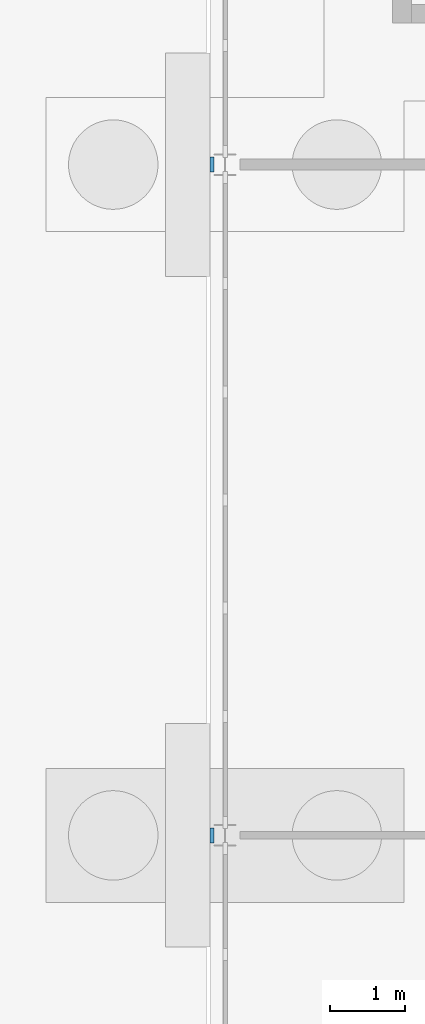
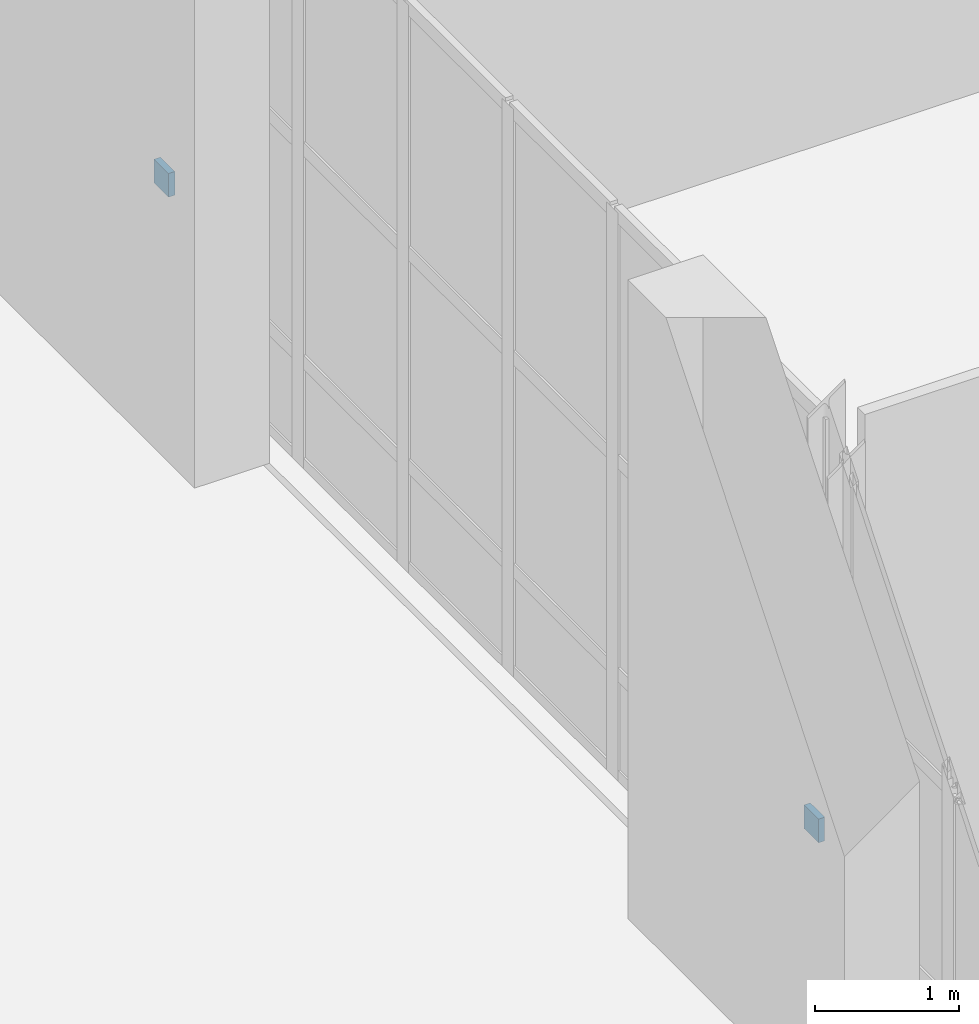
# One storey, part 119 of 168: 2 discrete accessories.
"""IFC4 building model written with IfcOpenShell, lengths in metres."""

from ifc_helpers import new_model, si_unit, direction, frame, origin, origin_2d, place, context, subcontext, project, spatial, rectangle, extrude, material, type_object, element, save


model = new_model("IFC4")

# Units and contexts
model_context = context("Model", 3, precision=1e-05, world=origin(), true_north=direction((0.0, 1.0)))
body_context = subcontext(model_context, "Body", "Model", "MODEL_VIEW")
ifc_project = project(units=[si_unit("LENGTHUNIT", "METRE"), si_unit("AREAUNIT", "SQUARE_METRE"), si_unit("VOLUMEUNIT", "CUBIC_METRE"), si_unit("PLANEANGLEUNIT", "RADIAN"), si_unit("MASSUNIT", "GRAM", prefix="KILO")], contexts=[model_context])

# Site, building, storey
site_placement = place(None, origin())
site = spatial("IfcSite", under=ifc_project, at=site_placement, CompositionType="ELEMENT")
building_placement = place(site_placement, origin())
building = spatial("IfcBuilding", under=site, at=building_placement, Name="Golden Quay Civic Hall", CompositionType="ELEMENT")
storey_placement = place(building_placement, origin())
storey = spatial("IfcBuildingStorey", under=building, at=storey_placement, Name="L00", CompositionType="ELEMENT", Elevation=0.0)

# Discrete accessories
ifc_material = material(Name="Steel S355", Category="steel")
discrete_accessory_type = type_object("IfcDiscreteAccessoryType", Name="Pier fixing bracket 200 x 200", PredefinedType="BRACKET", material=ifc_material)
for number, where, z_axis, x_axis, name in (
    (1, (53.824951171875, 36.0, 1.39990234375), (0.0, 0.0, 1.0), (0.0, -1.0, 0.0), "Pier fixing bracket 200 x 200 L00 15"),
    (2, (53.824951171875, 45.0, 1.39990234375), (0.0, 0.0, 1.0), (0.0, -1.0, 0.0), "Pier fixing bracket 200 x 200 L00 16"),
):
    element("IfcDiscreteAccessory", number, at=place(storey_placement, frame(where, z_axis=z_axis, x_axis=x_axis)), inside=storey, type_object=discrete_accessory_type, Name=name, PredefinedType="BRACKET", context=body_context, shape_type="SweptSolid", body=[
        extrude(rectangle(XDim=0.199951171875, YDim=0.050048828125, at=origin_2d()), origin(), (0.0, 0.0, 1.0), 0.199951171875),
    ])

save(model, "model.ifc")
